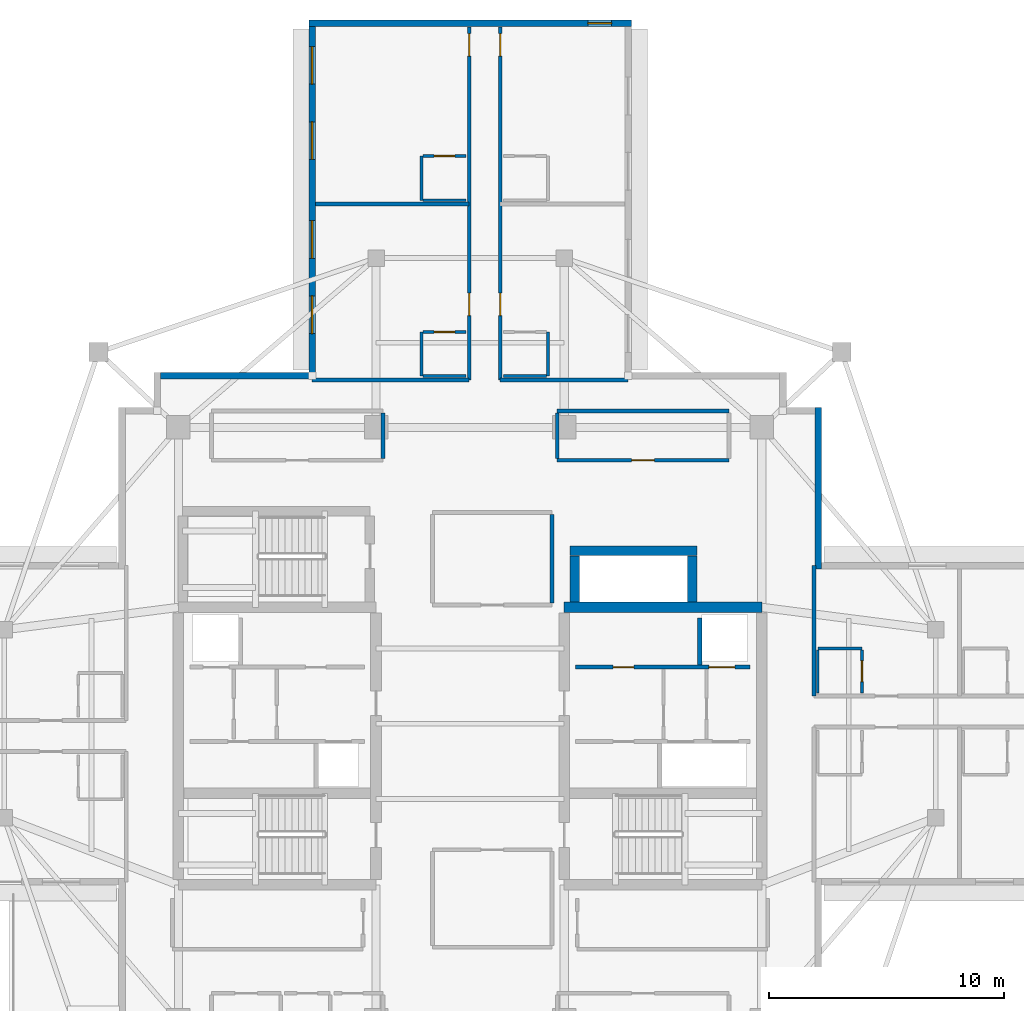
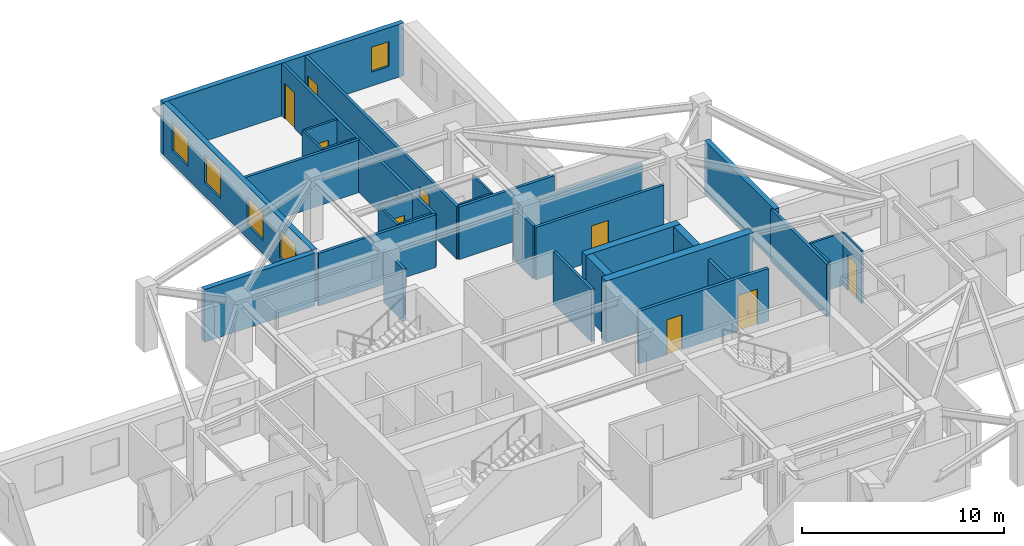
# One storey, part 7 of 12: 32 walls, 10 doors, 5 windows, 15 openings.
"""IFC4 building model written with IfcOpenShell, lengths in metres."""

from ifc_helpers import new_model, si_unit, direction, frame, frame_2d, origin, place, context, subcontext, project, spatial, rectangle, extrude, material, layer, layer_set, type_object, element, fill, save


model = new_model("IFC4")

# Units and contexts
model_context = context("Model", 3, precision=1e-05, world=origin(), true_north=direction((0.0, 1.0)))
body_context = subcontext(model_context, "Body", "Model", "MODEL_VIEW")
ifc_project = project(units=[si_unit("LENGTHUNIT", "METRE"), si_unit("AREAUNIT", "SQUARE_METRE"), si_unit("VOLUMEUNIT", "CUBIC_METRE"), si_unit("PLANEANGLEUNIT", "RADIAN"), si_unit("MASSUNIT", "GRAM", prefix="KILO")], contexts=[model_context])

# Site, building, storey
site_placement = place(None, origin())
site = spatial("IfcSite", under=ifc_project, at=site_placement, CompositionType="ELEMENT")
building_placement = place(site_placement, origin())
building = spatial("IfcBuilding", under=site, at=building_placement, Name="Qingluan Cross Belvedere", CompositionType="ELEMENT")
storey_placement = place(building_placement, frame((0.0, 0.0, 265.5)))
storey = spatial("IfcBuildingStorey", under=building, at=storey_placement, Name="L66", CompositionType="ELEMENT", Elevation=265.5)

# Walls
ifc_material_1 = material(Name="Concrete C50", Category="concrete")
ifc_layer_1 = layer(ifc_material_1, 0.449951171875, Name="CoreShearWall_450")
ifc_layer_set_1 = layer_set([ifc_layer_1], Name="Concrete C50")
wall_type_1 = type_object("IfcWallType", Name="CoreShearWall_450", PredefinedType="SHEAR", material=ifc_layer_set_1)
wall_1_placement = place(storey_placement, frame((4.0, 4.949951171875, 0.0), z_axis=(0.0, 0.0, 1.0), x_axis=(1.0, 0.0, 0.0)))
element("IfcWall", 1, at=wall_1_placement, inside=storey, type_object=wall_type_1, Name="Split core E shear wall L66-N", PredefinedType="SHEAR", context=body_context, shape_type="SweptSolid", body=[
    extrude(rectangle(XDim=8.39990234375, YDim=0.449951171875, at=frame_2d((4.199951171875, 0.0))), origin(), (0.0, 0.0, 1.0), 3.699951171875),
])
wall_2_placement = place(storey_placement, frame((4.449951171875, 5.179931640625, 0.0), z_axis=(0.0, 0.0, 1.0), x_axis=(0.0, 1.0, 0.0)))
element("IfcWall", 2, at=wall_2_placement, inside=storey, type_object=wall_type_1, Name="Express shuttle core wall L66-W", PredefinedType="SHEAR", context=body_context, shape_type="SweptSolid", body=[
    extrude(rectangle(XDim=1.9599609375, YDim=0.39990234375, at=frame_2d((0.97998046875, 0.0))), origin(), (0.0, 0.0, 1.0), 3.699951171875),
])
wall_3_placement = place(storey_placement, frame((4.25, 7.35009765625, 0.0), z_axis=(0.0, 0.0, 1.0), x_axis=(1.0, 0.0, 0.0)))
element("IfcWall", 3, at=wall_3_placement, inside=storey, type_object=wall_type_1, Name="Express shuttle core wall L66-N", PredefinedType="SHEAR", context=body_context, shape_type="SweptSolid", body=[
    extrude(rectangle(XDim=5.39990234375, YDim=0.39990234375, at=frame_2d((2.699951171875, 0.0))), origin(), (0.0, 0.0, 1.0), 3.699951171875),
])
wall_4_placement = place(storey_placement, frame((9.449951171875, 5.179931640625, 0.0), z_axis=(0.0, 0.0, 1.0), x_axis=(0.0, 1.0, 0.0)))
element("IfcWall", 4, at=wall_4_placement, inside=storey, type_object=wall_type_1, Name="Express shuttle core wall L66-E", PredefinedType="SHEAR", context=body_context, shape_type="SweptSolid", body=[
    extrude(rectangle(XDim=1.9599609375, YDim=0.39990234375, at=frame_2d((0.97998046875, 0.0))), origin(), (0.0, 0.0, 1.0), 3.699951171875),
])
ifc_material_2 = material(Name="Gypsum plasterboard on steel stud acoustic partition", Category="steel")
ifc_layer_2 = layer(ifc_material_2, 0.159912109375, Name="CorridorPartition_160")
ifc_layer_set_2 = layer_set([ifc_layer_2], Name="Gypsum plasterboard on steel stud acoustic partition")
wall_type_2 = type_object("IfcWallType", Name="CorridorPartition_160", PredefinedType="PARTITIONING", material=ifc_layer_set_2)
wall_5_placement = place(storey_placement, frame((-3.699951171875, 11.284912109375, 0.0), z_axis=(0.0, 0.0, 1.0), x_axis=(0.0, 1.0, 0.0)))
element("IfcWall", 5, at=wall_5_placement, inside=storey, type_object=wall_type_2, Name="Partition L66:q_nw_occ:E", PredefinedType="PARTITIONING", context=body_context, shape_type="SweptSolid", body=[
    extrude(rectangle(XDim=1.93017578125, YDim=0.159912109375, at=frame_2d((0.965087890625, 0.0))), origin(), (0.0, 0.0, 1.0), 3.169921875),
])

# Wall, opening, door
wall_6_placement = place(storey_placement, frame((3.699951171875, 11.199951171875, 0.0), z_axis=(0.0, 0.0, 1.0), x_axis=(1.0, 0.0, 0.0)))
wall_6 = element("IfcWall", 6, at=wall_6_placement, inside=storey, type_object=wall_type_2, Name="Partition L66:q_ne:S", PredefinedType="PARTITIONING", context=body_context, shape_type="SweptSolid", body=[
    extrude(rectangle(XDim=7.300048828125, YDim=0.159912109375, at=frame_2d((3.64990234375, 0.0))), origin(), (0.0, 0.0, 1.0), 3.169921875),
])
opening_1_placement = place(wall_6_placement, frame((3.169921875, 0.0, 0.0)))
opening_1 = element("IfcOpeningElement", 7, at=opening_1_placement, cuts=wall_6, Name="Opening GD-10", PredefinedType="OPENING", context=body_context, shape_type="SweptSolid", body=[
    extrude(rectangle(XDim=0.9599609375, YDim=2.14990234375, at=frame_2d((0.47998046875, 1.074951171875))), frame((0.0, 0.08984375, 0.0), z_axis=(0.0, -1.0, 0.0), x_axis=(1.0, 0.0, 0.0)), (0.0, 0.0, 1.0), 0.179931640625),
])
ifc_material_3 = material(Name="Timber oak fire-rated acoustic guestroom door", Category="wood")
door_type_1 = type_object("IfcDoorType", Name="GuestEntryDoor_FD60", OperationType="NOTDEFINED", PredefinedType="DOOR", material=ifc_material_3)
door_1_placement = place(opening_1_placement, origin())
door_1 = element("IfcDoor", 8, at=door_1_placement, inside=storey, type_object=door_type_1, Name="Sky tea ceremony salon L66 door", OperationType="SINGLE_SWING_LEFT", OverallHeight=2.14990234375, OverallWidth=0.9599609375, PredefinedType="DOOR", context=body_context, shape_type="SweptSolid", body=[
    extrude(rectangle(XDim=0.9599609375, YDim=2.14990234375, at=frame_2d((0.47998046875, 1.074951171875))), frame((0.0, 0.02490234375, 0.0), z_axis=(0.0, -1.0, 0.0), x_axis=(1.0, 0.0, 0.0)), (0.0, 0.0, 1.0), 0.050048828125),
])
fill(opening_1, door_1)

# Walls
wall_7_placement = place(storey_placement, frame((3.699951171875, 13.300048828125, 0.0), z_axis=(0.0, 0.0, 1.0), x_axis=(1.0, 0.0, 0.0)))
element("IfcWall", 9, at=wall_7_placement, inside=storey, type_object=wall_type_2, Name="Partition L66:q_ne:N", PredefinedType="PARTITIONING", context=body_context, shape_type="SweptSolid", body=[
    extrude(rectangle(XDim=7.300048828125, YDim=0.159912109375, at=frame_2d((3.64990234375, 0.0))), origin(), (0.0, 0.0, 1.0), 3.169921875),
])
wall_8_placement = place(storey_placement, frame((3.699951171875, 11.284912109375, 0.0), z_axis=(0.0, 0.0, 1.0), x_axis=(0.0, 1.0, 0.0)))
element("IfcWall", 10, at=wall_8_placement, inside=storey, type_object=wall_type_2, Name="Partition L66:q_ne:W", PredefinedType="PARTITIONING", context=body_context, shape_type="SweptSolid", body=[
    extrude(rectangle(XDim=1.93017578125, YDim=0.159912109375, at=frame_2d((0.965087890625, 0.0))), origin(), (0.0, 0.0, 1.0), 3.169921875),
])
wall_9_placement = place(storey_placement, frame((3.47998046875, 5.135009765625, 0.0), z_axis=(0.0, 0.0, 1.0), x_axis=(0.0, 1.0, 0.0)))
element("IfcWall", 11, at=wall_9_placement, inside=storey, type_object=wall_type_2, Name="Partition L66:sky_tea_alcove:E", PredefinedType="PARTITIONING", context=body_context, shape_type="SweptSolid", body=[
    extrude(rectangle(XDim=3.760009765625, YDim=0.159912109375, at=frame_2d((1.8798828125, 0.0))), origin(), (0.0, 0.0, 1.0), 3.169921875),
])
wall_10_placement = place(storey_placement, frame((14.6201171875, 1.179931640625, 0.0), z_axis=(0.0, 0.0, 1.0), x_axis=(0.0, 1.0, 0.0)))
element("IfcWall", 12, at=wall_10_placement, inside=storey, type_object=wall_type_2, Name="Partition L66:E:s0", PredefinedType="PARTITIONING", context=body_context, shape_type="SweptSolid", body=[
    extrude(rectangle(XDim=5.5400390625, YDim=0.159912109375, at=frame_2d((2.77001953125, 0.0))), origin(), (0.0, 0.0, 1.0), 3.169921875),
])

# Wall, openings, doors
wall_11_placement = place(storey_placement, frame((1.280029296875, 14.6201171875, 0.0), z_axis=(0.0, 0.0, 1.0), x_axis=(0.0, 1.0, 0.0)))
wall_11 = element("IfcWall", 13, at=wall_11_placement, inside=storey, type_object=wall_type_2, Name="Partition L66:N:c0", PredefinedType="PARTITIONING", context=body_context, shape_type="SweptSolid", body=[
    extrude(rectangle(XDim=15.011962890625, YDim=0.159912109375, at=frame_2d((7.505859375, 0.0))), origin(), (0.0, 0.0, 1.0), 3.169921875),
])
opening_2_placement = place(wall_11_placement, frame((2.72802734375, 0.0, 0.0)))
opening_2 = element("IfcOpeningElement", 14, at=opening_2_placement, cuts=wall_11, Name="Opening GD-10", PredefinedType="OPENING", context=body_context, shape_type="SweptSolid", body=[
    extrude(rectangle(XDim=0.9599609375, YDim=2.14990234375, at=frame_2d((0.47998046875, 1.074951171875))), frame((0.0, 0.08984375, 0.0), z_axis=(0.0, -1.0, 0.0), x_axis=(1.0, 0.0, 0.0)), (0.0, 0.0, 1.0), 0.179931640625),
])
opening_3_placement = place(wall_11_placement, frame((13.760009765625, 0.0, 0.0)))
opening_3 = element("IfcOpeningElement", 15, at=opening_3_placement, cuts=wall_11, Name="Opening GD-10", PredefinedType="OPENING", context=body_context, shape_type="SweptSolid", body=[
    extrude(rectangle(XDim=0.9599609375, YDim=2.14990234375, at=frame_2d((0.47998046875, 1.074951171875))), frame((0.0, 0.08984375, 0.0), z_axis=(0.0, -1.0, 0.0), x_axis=(1.0, 0.0, 0.0)), (0.0, 0.0, 1.0), 0.179931640625),
])
door_2_placement = place(opening_2_placement, origin())
door_2 = element("IfcDoor", 16, at=door_2_placement, inside=storey, type_object=door_type_1, Name="Guest entry fire door 6609", OperationType="SINGLE_SWING_RIGHT", OverallHeight=2.14990234375, OverallWidth=0.9599609375, PredefinedType="DOOR", context=body_context, shape_type="SweptSolid", body=[
    extrude(rectangle(XDim=0.9599609375, YDim=2.14990234375, at=frame_2d((0.47998046875, 1.074951171875))), frame((0.0, 0.02490234375, 0.0), z_axis=(0.0, -1.0, 0.0), x_axis=(1.0, 0.0, 0.0)), (0.0, 0.0, 1.0), 0.050048828125),
])
fill(opening_2, door_2)
door_3_placement = place(opening_3_placement, origin())
door_3 = element("IfcDoor", 17, at=door_3_placement, inside=storey, type_object=door_type_1, Name="Guest entry fire door 6610", OperationType="SINGLE_SWING_RIGHT", OverallHeight=2.14990234375, OverallWidth=0.9599609375, PredefinedType="DOOR", context=body_context, shape_type="SweptSolid", body=[
    extrude(rectangle(XDim=0.9599609375, YDim=2.14990234375, at=frame_2d((0.47998046875, 1.074951171875))), frame((0.0, 0.02490234375, 0.0), z_axis=(0.0, -1.0, 0.0), x_axis=(1.0, 0.0, 0.0)), (0.0, 0.0, 1.0), 0.050048828125),
])
fill(opening_3, door_3)

# Wall
wall_12_placement = place(storey_placement, frame((1.280029296875, 14.6201171875, 0.0), z_axis=(0.0, 0.0, 1.0), x_axis=(1.0, 0.0, 0.0)))
element("IfcWall", 18, at=wall_12_placement, inside=storey, type_object=wall_type_2, Name="Partition L66:N:s0", PredefinedType="PARTITIONING", context=body_context, shape_type="SweptSolid", body=[
    extrude(rectangle(XDim=5.43994140625, YDim=0.159912109375, at=frame_2d((2.719970703125, 0.0))), origin(), (0.0, 0.0, 1.0), 3.169921875),
])

# Wall, openings, doors
wall_13_placement = place(storey_placement, frame((-0.0400390625, 14.6201171875, 0.0), z_axis=(0.0, 0.0, 1.0), x_axis=(0.0, 1.0, 0.0)))
wall_13 = element("IfcWall", 19, at=wall_13_placement, inside=storey, type_object=wall_type_2, Name="Partition L66:N:c1", PredefinedType="PARTITIONING", context=body_context, shape_type="SweptSolid", body=[
    extrude(rectangle(XDim=15.011962890625, YDim=0.159912109375, at=frame_2d((7.505859375, 0.0))), origin(), (0.0, 0.0, 1.0), 3.169921875),
])
opening_4_placement = place(wall_13_placement, frame((2.72802734375, 0.0, 0.0)))
opening_4 = element("IfcOpeningElement", 20, at=opening_4_placement, cuts=wall_13, Name="Opening GD-10", PredefinedType="OPENING", context=body_context, shape_type="SweptSolid", body=[
    extrude(rectangle(XDim=0.9599609375, YDim=2.14990234375, at=frame_2d((0.47998046875, 1.074951171875))), frame((0.0, 0.08984375, 0.0), z_axis=(0.0, -1.0, 0.0), x_axis=(1.0, 0.0, 0.0)), (0.0, 0.0, 1.0), 0.179931640625),
])
opening_5_placement = place(wall_13_placement, frame((13.760009765625, 0.0, 0.0)))
opening_5 = element("IfcOpeningElement", 21, at=opening_5_placement, cuts=wall_13, Name="Opening GD-10", PredefinedType="OPENING", context=body_context, shape_type="SweptSolid", body=[
    extrude(rectangle(XDim=0.9599609375, YDim=2.14990234375, at=frame_2d((0.47998046875, 1.074951171875))), frame((0.0, 0.08984375, 0.0), z_axis=(0.0, -1.0, 0.0), x_axis=(1.0, 0.0, 0.0)), (0.0, 0.0, 1.0), 0.179931640625),
])
door_4_placement = place(opening_4_placement, origin())
door_4 = element("IfcDoor", 22, at=door_4_placement, inside=storey, type_object=door_type_1, Name="Guest entry fire door 6611", OperationType="SINGLE_SWING_RIGHT", OverallHeight=2.14990234375, OverallWidth=0.9599609375, PredefinedType="DOOR", context=body_context, shape_type="SweptSolid", body=[
    extrude(rectangle(XDim=0.9599609375, YDim=2.14990234375, at=frame_2d((0.47998046875, 1.074951171875))), frame((0.0, 0.02490234375, 0.0), z_axis=(0.0, -1.0, 0.0), x_axis=(1.0, 0.0, 0.0)), (0.0, 0.0, 1.0), 0.050048828125),
])
fill(opening_4, door_4)
door_5_placement = place(opening_5_placement, origin())
door_5 = element("IfcDoor", 23, at=door_5_placement, inside=storey, type_object=door_type_1, Name="Guest entry fire door 6612", OperationType="SINGLE_SWING_RIGHT", OverallHeight=2.14990234375, OverallWidth=0.9599609375, PredefinedType="DOOR", context=body_context, shape_type="SweptSolid", body=[
    extrude(rectangle(XDim=0.9599609375, YDim=2.14990234375, at=frame_2d((0.47998046875, 1.074951171875))), frame((0.0, 0.02490234375, 0.0), z_axis=(0.0, -1.0, 0.0), x_axis=(1.0, 0.0, 0.0)), (0.0, 0.0, 1.0), 0.050048828125),
])
fill(opening_5, door_5)

# Walls
wall_14_placement = place(storey_placement, frame((-0.0400390625, 14.6201171875, 0.0), z_axis=(0.0, 0.0, 1.0), x_axis=(-1.0, 0.0, 0.0)))
element("IfcWall", 24, at=wall_14_placement, inside=storey, type_object=wall_type_2, Name="Partition L66:N:s1", PredefinedType="PARTITIONING", context=body_context, shape_type="SweptSolid", body=[
    extrude(rectangle(XDim=6.679931640625, YDim=0.159912109375, at=frame_2d((3.33984375, 0.0))), origin(), (0.0, 0.0, 1.0), 3.169921875),
])
wall_15_placement = place(storey_placement, frame((-0.0400390625, 22.096923828125, 0.0), z_axis=(0.0, 0.0, 1.0), x_axis=(-1.0, 0.0, 0.0)))
element("IfcWall", 25, at=wall_15_placement, inside=storey, type_object=wall_type_2, Name="Partition L66:N:d1_0", PredefinedType="PARTITIONING", context=body_context, shape_type="SweptSolid", body=[
    extrude(rectangle(XDim=6.531982421875, YDim=0.159912109375, at=frame_2d((3.26611328125, 0.0))), origin(), (0.0, 0.0, 1.0), 3.169921875),
])

# Wall, opening, door
ifc_material_4 = material(Name="Moisture-resistant gypsum board lining")
ifc_layer_3 = layer(ifc_material_4, 0.1201171875, Name="EnsuiteWetPartition_120")
ifc_layer_set_3 = layer_set([ifc_layer_3], Name="Moisture-resistant gypsum board lining")
wall_type_3 = type_object("IfcWallType", Name="EnsuiteWetPartition_120", PredefinedType="PARTITIONING", material=ifc_layer_set_3)
wall_16_placement = place(storey_placement, frame((16.659912109375, 1.320068359375, 0.0), z_axis=(0.0, 0.0, 1.0), x_axis=(0.0, 1.0, 0.0)))
wall_16 = element("IfcWall", 26, at=wall_16_placement, inside=storey, type_object=wall_type_3, Name="Partition L66:E:bs0_0", PredefinedType="PARTITIONING", context=body_context, shape_type="SweptSolid", body=[
    extrude(rectangle(XDim=1.81982421875, YDim=0.1201171875, at=frame_2d((0.909912109375, 0.0))), origin(), (0.0, 0.0, 1.0), 3.169921875),
])
opening_6_placement = place(wall_16_placement, frame((0.469970703125, 0.0, 0.0)))
opening_6 = element("IfcOpeningElement", 27, at=opening_6_placement, cuts=wall_16, Name="Opening BD-09", PredefinedType="OPENING", context=body_context, shape_type="SweptSolid", body=[
    extrude(rectangle(XDim=0.8798828125, YDim=2.10009765625, at=frame_2d((0.43994140625, 1.050048828125))), frame((0.0, 0.070068359375, 0.0), z_axis=(0.0, -1.0, 0.0), x_axis=(1.0, 0.0, 0.0)), (0.0, 0.0, 1.0), 0.14013671875),
])
ifc_material_5 = material(Name="Moisture-sealed timber en-suite door", Category="wood")
door_type_2 = type_object("IfcDoorType", Name="BathroomDoor_880", OperationType="NOTDEFINED", PredefinedType="DOOR", material=ifc_material_5)
door_6_placement = place(opening_6_placement, origin())
door_6 = element("IfcDoor", 28, at=door_6_placement, inside=storey, type_object=door_type_2, Name="Bathroom door 6601", OperationType="SINGLE_SWING_LEFT", OverallHeight=2.10009765625, OverallWidth=0.8798828125, PredefinedType="DOOR", context=body_context, shape_type="SweptSolid", body=[
    extrude(rectangle(XDim=0.8798828125, YDim=2.10009765625, at=frame_2d((0.43994140625, 1.050048828125))), frame((0.0, 0.02490234375, 0.0), z_axis=(0.0, -1.0, 0.0), x_axis=(1.0, 0.0, 0.0)), (0.0, 0.0, 1.0), 0.050048828125),
])
fill(opening_6, door_6)

# Walls
wall_17_placement = place(storey_placement, frame((14.780029296875, 1.320068359375, 0.0), z_axis=(0.0, 0.0, 1.0), x_axis=(0.0, 1.0, 0.0)))
element("IfcWall", 29, at=wall_17_placement, inside=storey, type_object=wall_type_3, Name="Partition L66:E:bw0_0", PredefinedType="PARTITIONING", context=body_context, shape_type="SweptSolid", body=[
    extrude(rectangle(XDim=1.81982421875, YDim=0.1201171875, at=frame_2d((0.909912109375, 0.0))), origin(), (0.0, 0.0, 1.0), 3.169921875),
])
wall_18_placement = place(storey_placement, frame((14.780029296875, 3.205078125, 0.0), z_axis=(0.0, 0.0, 1.0), x_axis=(1.0, 0.0, 0.0)))
element("IfcWall", 30, at=wall_18_placement, inside=storey, type_object=wall_type_3, Name="Partition L66:E:bn0_0", PredefinedType="PARTITIONING", context=body_context, shape_type="SweptSolid", body=[
    extrude(rectangle(XDim=1.8798828125, YDim=0.1201171875, at=frame_2d((0.93994140625, 0.0))), origin(), (0.0, 0.0, 1.0), 3.169921875),
])
wall_19_placement = place(storey_placement, frame((1.419921875, 14.780029296875, 0.0), z_axis=(0.0, 0.0, 1.0), x_axis=(1.0, 0.0, 0.0)))
element("IfcWall", 31, at=wall_19_placement, inside=storey, type_object=wall_type_3, Name="Partition L66:N:bw0_0", PredefinedType="PARTITIONING", context=body_context, shape_type="SweptSolid", body=[
    extrude(rectangle(XDim=1.820068359375, YDim=0.1201171875, at=frame_2d((0.91015625, 0.0))), origin(), (0.0, 0.0, 1.0), 3.169921875),
])
wall_20_placement = place(storey_placement, frame((3.304931640625, 14.780029296875, 0.0), z_axis=(0.0, 0.0, 1.0), x_axis=(0.0, 1.0, 0.0)))
element("IfcWall", 32, at=wall_20_placement, inside=storey, type_object=wall_type_3, Name="Partition L66:N:bn0_0", PredefinedType="PARTITIONING", context=body_context, shape_type="SweptSolid", body=[
    extrude(rectangle(XDim=1.8798828125, YDim=0.1201171875, at=frame_2d((0.93994140625, 0.0))), origin(), (0.0, 0.0, 1.0), 3.169921875),
])

# Wall, opening, door
wall_21_placement = place(storey_placement, frame((-2.0, 16.659912109375, 0.0), z_axis=(0.0, 0.0, 1.0), x_axis=(1.0, 0.0, 0.0)))
wall_21 = element("IfcWall", 33, at=wall_21_placement, inside=storey, type_object=wall_type_3, Name="Partition L66:N:bs1_0", PredefinedType="PARTITIONING", context=body_context, shape_type="SweptSolid", body=[
    extrude(rectangle(XDim=1.820068359375, YDim=0.1201171875, at=frame_2d((0.91015625, 0.0))), origin(), (0.0, 0.0, 1.0), 3.169921875),
])
opening_7_placement = place(wall_21_placement, frame((0.469970703125, 0.0, 0.0)))
opening_7 = element("IfcOpeningElement", 34, at=opening_7_placement, cuts=wall_21, Name="Opening BD-09", PredefinedType="OPENING", context=body_context, shape_type="SweptSolid", body=[
    extrude(rectangle(XDim=0.8798828125, YDim=2.10009765625, at=frame_2d((0.43994140625, 1.050048828125))), frame((0.0, 0.070068359375, 0.0), z_axis=(0.0, -1.0, 0.0), x_axis=(1.0, 0.0, 0.0)), (0.0, 0.0, 1.0), 0.14013671875),
])
door_7_placement = place(opening_7_placement, origin())
door_7 = element("IfcDoor", 35, at=door_7_placement, inside=storey, type_object=door_type_2, Name="Bathroom door 6611", OperationType="SINGLE_SWING_LEFT", OverallHeight=2.10009765625, OverallWidth=0.8798828125, PredefinedType="DOOR", context=body_context, shape_type="SweptSolid", body=[
    extrude(rectangle(XDim=0.8798828125, YDim=2.10009765625, at=frame_2d((0.43994140625, 1.050048828125))), frame((0.0, 0.02490234375, 0.0), z_axis=(0.0, -1.0, 0.0), x_axis=(1.0, 0.0, 0.0)), (0.0, 0.0, 1.0), 0.050048828125),
])
fill(opening_7, door_7)

# Walls
wall_22_placement = place(storey_placement, frame((-2.0, 14.780029296875, 0.0), z_axis=(0.0, 0.0, 1.0), x_axis=(1.0, 0.0, 0.0)))
element("IfcWall", 36, at=wall_22_placement, inside=storey, type_object=wall_type_3, Name="Partition L66:N:bw1_0", PredefinedType="PARTITIONING", context=body_context, shape_type="SweptSolid", body=[
    extrude(rectangle(XDim=1.820068359375, YDim=0.1201171875, at=frame_2d((0.91015625, 0.0))), origin(), (0.0, 0.0, 1.0), 3.169921875),
])
wall_23_placement = place(storey_placement, frame((-2.06494140625, 14.780029296875, 0.0), z_axis=(0.0, 0.0, 1.0), x_axis=(0.0, 1.0, 0.0)))
element("IfcWall", 37, at=wall_23_placement, inside=storey, type_object=wall_type_3, Name="Partition L66:N:bc1_0", PredefinedType="PARTITIONING", context=body_context, shape_type="SweptSolid", body=[
    extrude(rectangle(XDim=1.8798828125, YDim=0.1201171875, at=frame_2d((0.93994140625, 0.0))), origin(), (0.0, 0.0, 1.0), 3.169921875),
])

# Wall, opening, door
wall_24_placement = place(storey_placement, frame((-2.0, 24.136962890625, 0.0), z_axis=(0.0, 0.0, 1.0), x_axis=(1.0, 0.0, 0.0)))
wall_24 = element("IfcWall", 38, at=wall_24_placement, inside=storey, type_object=wall_type_3, Name="Partition L66:N:bs1_1", PredefinedType="PARTITIONING", context=body_context, shape_type="SweptSolid", body=[
    extrude(rectangle(XDim=1.820068359375, YDim=0.1201171875, at=frame_2d((0.91015625, 0.0))), origin(), (0.0, 0.0, 1.0), 3.169921875),
])
opening_8_placement = place(wall_24_placement, frame((0.469970703125, 0.0, 0.0)))
opening_8 = element("IfcOpeningElement", 39, at=opening_8_placement, cuts=wall_24, Name="Opening BD-09", PredefinedType="OPENING", context=body_context, shape_type="SweptSolid", body=[
    extrude(rectangle(XDim=0.8798828125, YDim=2.10009765625, at=frame_2d((0.43994140625, 1.050048828125))), frame((0.0, 0.070068359375, 0.0), z_axis=(0.0, -1.0, 0.0), x_axis=(1.0, 0.0, 0.0)), (0.0, 0.0, 1.0), 0.14013671875),
])
door_8_placement = place(opening_8_placement, origin())
door_8 = element("IfcDoor", 40, at=door_8_placement, inside=storey, type_object=door_type_2, Name="Bathroom door 6612", OperationType="SINGLE_SWING_LEFT", OverallHeight=2.10009765625, OverallWidth=0.8798828125, PredefinedType="DOOR", context=body_context, shape_type="SweptSolid", body=[
    extrude(rectangle(XDim=0.8798828125, YDim=2.10009765625, at=frame_2d((0.43994140625, 1.050048828125))), frame((0.0, 0.02490234375, 0.0), z_axis=(0.0, -1.0, 0.0), x_axis=(1.0, 0.0, 0.0)), (0.0, 0.0, 1.0), 0.050048828125),
])
fill(opening_8, door_8)

# Walls
wall_25_placement = place(storey_placement, frame((-2.0, 22.257080078125, 0.0), z_axis=(0.0, 0.0, 1.0), x_axis=(1.0, 0.0, 0.0)))
element("IfcWall", 41, at=wall_25_placement, inside=storey, type_object=wall_type_3, Name="Partition L66:N:bw1_1", PredefinedType="PARTITIONING", context=body_context, shape_type="SweptSolid", body=[
    extrude(rectangle(XDim=1.820068359375, YDim=0.1201171875, at=frame_2d((0.91015625, 0.0))), origin(), (0.0, 0.0, 1.0), 3.169921875),
])
wall_26_placement = place(storey_placement, frame((-2.06494140625, 22.257080078125, 0.0), z_axis=(0.0, 0.0, 1.0), x_axis=(0.0, 1.0, 0.0)))
element("IfcWall", 42, at=wall_26_placement, inside=storey, type_object=wall_type_3, Name="Partition L66:N:bc1_1", PredefinedType="PARTITIONING", context=body_context, shape_type="SweptSolid", body=[
    extrude(rectangle(XDim=1.8798828125, YDim=0.1201171875, at=frame_2d((0.93994140625, 0.0))), origin(), (0.0, 0.0, 1.0), 3.169921875),
])

# Wall, openings, windows
ifc_material_6 = material(Name="Precast concrete C45", Category="concrete")
ifc_layer_4 = layer(ifc_material_6, 0.280029296875, Name="PrecastFacadeWall_280")
ifc_layer_set_4 = layer_set([ifc_layer_4], Name="Precast concrete C45")
wall_type_4 = type_object("IfcWallType", Name="PrecastFacadeWall_280", PredefinedType="STANDARD", material=ifc_layer_set_4)
wall_27_placement = place(storey_placement, frame((-6.719970703125, 29.639892578125, 0.0), z_axis=(0.0, 0.0, 1.0), x_axis=(0.0, -1.0, 0.0)))
wall_27 = element("IfcWall", 43, at=wall_27_placement, inside=storey, type_object=wall_type_4, Name="Facade wall L66-NB", PredefinedType="STANDARD", context=body_context, shape_type="SweptSolid", body=[
    extrude(rectangle(XDim=14.699951171875, YDim=0.280029296875, at=frame_2d((7.35009765625, 0.0))), origin(), (0.0, 0.0, 1.0), 3.179931640625),
])
opening_9_placement = place(wall_27_placement, frame((0.85009765625, 0.0, 0.800048828125)))
opening_9 = element("IfcOpeningElement", 44, at=opening_9_placement, cuts=wall_27, Name="Opening W-04", PredefinedType="OPENING", context=body_context, shape_type="SweptSolid", body=[
    extrude(rectangle(XDim=1.60009765625, YDim=1.699951171875, at=frame_2d((0.800048828125, 0.85009765625))), frame((0.0, 0.14990234375, 0.0), z_axis=(0.0, -1.0, 0.0), x_axis=(1.0, 0.0, 0.0)), (0.0, 0.0, 1.0), 0.300048828125),
])
opening_10_placement = place(wall_27_placement, frame((4.050048828125, 0.0, 0.800048828125)))
opening_10 = element("IfcOpeningElement", 45, at=opening_10_placement, cuts=wall_27, Name="Opening W-04", PredefinedType="OPENING", context=body_context, shape_type="SweptSolid", body=[
    extrude(rectangle(XDim=1.60009765625, YDim=1.699951171875, at=frame_2d((0.800048828125, 0.85009765625))), frame((0.0, 0.14990234375, 0.0), z_axis=(0.0, -1.0, 0.0), x_axis=(1.0, 0.0, 0.0)), (0.0, 0.0, 1.0), 0.300048828125),
])
opening_11_placement = place(wall_27_placement, frame((8.25, 0.0, 0.800048828125)))
opening_11 = element("IfcOpeningElement", 46, at=opening_11_placement, cuts=wall_27, Name="Opening W-04", PredefinedType="OPENING", context=body_context, shape_type="SweptSolid", body=[
    extrude(rectangle(XDim=1.60009765625, YDim=1.699951171875, at=frame_2d((0.800048828125, 0.85009765625))), frame((0.0, 0.14990234375, 0.0), z_axis=(0.0, -1.0, 0.0), x_axis=(1.0, 0.0, 0.0)), (0.0, 0.0, 1.0), 0.300048828125),
])
opening_12_placement = place(wall_27_placement, frame((11.449951171875, 0.0, 0.800048828125)))
opening_12 = element("IfcOpeningElement", 47, at=opening_12_placement, cuts=wall_27, Name="Opening W-04", PredefinedType="OPENING", context=body_context, shape_type="SweptSolid", body=[
    extrude(rectangle(XDim=1.60009765625, YDim=1.699951171875, at=frame_2d((0.800048828125, 0.85009765625))), frame((0.0, 0.14990234375, 0.0), z_axis=(0.0, -1.0, 0.0), x_axis=(1.0, 0.0, 0.0)), (0.0, 0.0, 1.0), 0.300048828125),
])
ifc_material_7 = material(Name="Thermally broken triple Low-E glass in aluminium frame", Category="aluminium")
window_type_1 = type_object("IfcWindowType", Name="SuiteCornerWin_1600x1700", PartitioningType="SINGLE_PANEL", PredefinedType="WINDOW", material=ifc_material_7)
window_1_placement = place(opening_9_placement, origin())
window_1 = element("IfcWindow", 48, at=window_1_placement, inside=storey, type_object=window_type_1, Name="Ribbon window L66-NB-1", OverallHeight=1.699951171875, OverallWidth=1.60009765625, PartitioningType="SINGLE_PANEL", PredefinedType="WINDOW", context=body_context, shape_type="SweptSolid", body=[
    extrude(rectangle(XDim=1.60009765625, YDim=1.699951171875, at=frame_2d((0.800048828125, 0.85009765625))), frame((0.0, 0.030029296875, 0.0), z_axis=(0.0, -1.0, 0.0), x_axis=(1.0, 0.0, 0.0)), (0.0, 0.0, 1.0), 0.06005859375),
])
fill(opening_9, window_1)
window_2_placement = place(opening_10_placement, origin())
window_2 = element("IfcWindow", 49, at=window_2_placement, inside=storey, type_object=window_type_1, Name="Ribbon window L66-NB-2", OverallHeight=1.699951171875, OverallWidth=1.60009765625, PartitioningType="SINGLE_PANEL", PredefinedType="WINDOW", context=body_context, shape_type="SweptSolid", body=[
    extrude(rectangle(XDim=1.60009765625, YDim=1.699951171875, at=frame_2d((0.800048828125, 0.85009765625))), frame((0.0, 0.030029296875, 0.0), z_axis=(0.0, -1.0, 0.0), x_axis=(1.0, 0.0, 0.0)), (0.0, 0.0, 1.0), 0.06005859375),
])
fill(opening_10, window_2)
window_3_placement = place(opening_11_placement, origin())
window_3 = element("IfcWindow", 50, at=window_3_placement, inside=storey, type_object=window_type_1, Name="Ribbon window L66-NB-3", OverallHeight=1.699951171875, OverallWidth=1.60009765625, PartitioningType="SINGLE_PANEL", PredefinedType="WINDOW", context=body_context, shape_type="SweptSolid", body=[
    extrude(rectangle(XDim=1.60009765625, YDim=1.699951171875, at=frame_2d((0.800048828125, 0.85009765625))), frame((0.0, 0.030029296875, 0.0), z_axis=(0.0, -1.0, 0.0), x_axis=(1.0, 0.0, 0.0)), (0.0, 0.0, 1.0), 0.06005859375),
])
fill(opening_11, window_3)
window_4_placement = place(opening_12_placement, origin())
window_4 = element("IfcWindow", 51, at=window_4_placement, inside=storey, type_object=window_type_1, Name="Ribbon window L66-NB-4", OverallHeight=1.699951171875, OverallWidth=1.60009765625, PartitioningType="SINGLE_PANEL", PredefinedType="WINDOW", context=body_context, shape_type="SweptSolid", body=[
    extrude(rectangle(XDim=1.60009765625, YDim=1.699951171875, at=frame_2d((0.800048828125, 0.85009765625))), frame((0.0, 0.030029296875, 0.0), z_axis=(0.0, -1.0, 0.0), x_axis=(1.0, 0.0, 0.0)), (0.0, 0.0, 1.0), 0.06005859375),
])
fill(opening_12, window_4)

# Wall, opening, window
wall_28_placement = place(storey_placement, frame((6.860107421875, 29.780029296875, 0.0), z_axis=(0.0, 0.0, 1.0), x_axis=(-1.0, 0.0, 0.0)))
wall_28 = element("IfcWall", 52, at=wall_28_placement, inside=storey, type_object=wall_type_4, Name="Arm tip precast facade wall L66-N", PredefinedType="STANDARD", context=body_context, shape_type="SweptSolid", body=[
    extrude(rectangle(XDim=13.72021484375, YDim=0.280029296875, at=frame_2d((6.860107421875, 0.0))), origin(), (0.0, 0.0, 1.0), 3.179931640625),
])
opening_13_placement = place(wall_28_placement, frame((0.85009765625, 0.0, 0.85009765625)))
opening_13 = element("IfcOpeningElement", 53, at=opening_13_placement, cuts=wall_28, Name="Opening W-03", PredefinedType="OPENING", context=body_context, shape_type="SweptSolid", body=[
    extrude(rectangle(XDim=1.0, YDim=1.5, at=frame_2d((0.5, 0.75))), frame((0.0, 0.14990234375, 0.0), z_axis=(0.0, -1.0, 0.0), x_axis=(1.0, 0.0, 0.0)), (0.0, 0.0, 1.0), 0.300048828125),
])
ifc_material_8 = material(Name="Thermally broken triple Low-E glass in aluminium frame", Category="aluminium")
window_type_2 = type_object("IfcWindowType", Name="TriApexWin_1000x1500", PartitioningType="SINGLE_PANEL", PredefinedType="WINDOW", material=ifc_material_8)
window_5_placement = place(opening_13_placement, origin())
window_5 = element("IfcWindow", 54, at=window_5_placement, inside=storey, type_object=window_type_2, Name="Arm tip triangular window L66-N", OverallHeight=1.5, OverallWidth=1.0, PartitioningType="SINGLE_PANEL", PredefinedType="WINDOW", context=body_context, shape_type="SweptSolid", body=[
    extrude(rectangle(XDim=1.0, YDim=1.5, at=frame_2d((0.5, 0.75))), frame((0.0, 0.030029296875, 0.0), z_axis=(0.0, -1.0, 0.0), x_axis=(1.0, 0.0, 0.0)), (0.0, 0.0, 1.0), 0.06005859375),
])
fill(opening_13, window_5)

# Walls
wall_29_placement = place(storey_placement, frame((14.800048828125, 6.580078125, 0.0), z_axis=(0.0, 0.0, 1.0), x_axis=(0.0, 1.0, 0.0)))
element("IfcWall", 55, at=wall_29_placement, inside=storey, type_object=wall_type_4, Name="Corner wall L66-NE1", PredefinedType="STANDARD", context=body_context, shape_type="SweptSolid", body=[
    extrude(rectangle(XDim=6.85986328125, YDim=0.280029296875, at=frame_2d((3.429931640625, 0.0))), origin(), (0.0, 0.0, 1.0), 3.179931640625),
])
wall_30_placement = place(storey_placement, frame((-13.159912109375, 14.800048828125, 0.0), z_axis=(0.0, 0.0, 1.0), x_axis=(1.0, 0.0, 0.0)))
element("IfcWall", 56, at=wall_30_placement, inside=storey, type_object=wall_type_4, Name="Corner wall L66-NW4", PredefinedType="STANDARD", context=body_context, shape_type="SweptSolid", body=[
    extrude(rectangle(XDim=6.2998046875, YDim=0.280029296875, at=frame_2d((3.14990234375, 0.0))), origin(), (0.0, 0.0, 1.0), 3.179931640625),
])

# Wall, openings, doors
ifc_material_9 = material(Name="Concrete C40", Category="concrete")
ifc_layer_5 = layer(ifc_material_9, 0.219970703125, Name="ShaftEnclosureWall_250")
ifc_layer_set_5 = layer_set([ifc_layer_5], Name="Concrete C40")
wall_type_5 = type_object("IfcWallType", Name="ShaftEnclosureWall_250", PredefinedType="SOLIDWALL", material=ifc_layer_set_5)
wall_31_placement = place(storey_placement, frame((4.47998046875, 2.409912109375, 0.0), z_axis=(0.0, 0.0, 1.0), x_axis=(1.0, 0.0, 0.0)))
wall_31 = element("IfcWall", 57, at=wall_31_placement, inside=storey, type_object=wall_type_5, Name="Core-E north hoistway wall L66", PredefinedType="SOLIDWALL", context=body_context, shape_type="SweptSolid", body=[
    extrude(rectangle(XDim=7.419921875, YDim=0.179931640625, at=frame_2d((3.7099609375, 0.0))), origin(), (0.0, 0.0, 1.0), 3.169921875),
])
opening_14_placement = place(wall_31_placement, frame((5.669921875, 0.0, 0.0)))
opening_14 = element("IfcOpeningElement", 58, at=opening_14_placement, cuts=wall_31, Name="Opening LD-11", PredefinedType="OPENING", context=body_context, shape_type="SweptSolid", body=[
    extrude(rectangle(XDim=1.10009765625, YDim=2.14990234375, at=frame_2d((0.550048828125, 1.074951171875))), frame((0.0, 0.099853515625, 0.0), z_axis=(0.0, -1.0, 0.0), x_axis=(1.0, 0.0, 0.0)), (0.0, 0.0, 1.0), 0.199951171875),
])
opening_15_placement = place(wall_31_placement, frame((1.60009765625, 0.0, 0.0)))
opening_15 = element("IfcOpeningElement", 59, at=opening_15_placement, cuts=wall_31, Name="Opening FD-B10", PredefinedType="OPENING", context=body_context, shape_type="SweptSolid", body=[
    extrude(rectangle(XDim=0.8798828125, YDim=2.10009765625, at=frame_2d((0.43994140625, 1.050048828125))), frame((0.0, 0.099853515625, 0.0), z_axis=(0.0, -1.0, 0.0), x_axis=(1.0, 0.0, 0.0)), (0.0, 0.0, 1.0), 0.199951171875),
])
ifc_material_10 = material(Name="Brushed stainless steel centre-opening lift landing door", Category="steel")
door_type_3 = type_object("IfcDoorType", Name="LiftLandingSlidingDoor_1100", OperationType="DOUBLE_DOOR_SLIDING", PredefinedType="DOOR", material=ifc_material_10)
door_9_placement = place(opening_14_placement, origin())
door_9 = element("IfcDoor", 60, at=door_9_placement, inside=storey, type_object=door_type_3, Name="Lift landing sliding door FL2 L66", OperationType="DOUBLE_DOOR_SLIDING", OverallHeight=2.14990234375, OverallWidth=1.10009765625, PredefinedType="DOOR", context=body_context, shape_type="SweptSolid", body=[
    extrude(rectangle(XDim=1.10009765625, YDim=2.14990234375, at=frame_2d((0.550048828125, 1.074951171875))), frame((0.0, 0.02490234375, 0.0), z_axis=(0.0, -1.0, 0.0), x_axis=(1.0, 0.0, 0.0)), (0.0, 0.0, 1.0), 0.050048828125),
])
fill(opening_14, door_9)
ifc_material_11 = material(Name="Steel Class B service fire door", Category="steel")
door_type_4 = type_object("IfcDoorType", Name="RiserServiceFireDoor_FDB", OperationType="NOTDEFINED", PredefinedType="DOOR", material=ifc_material_11)
door_10_placement = place(opening_15_placement, origin())
door_10 = element("IfcDoor", 61, at=door_10_placement, inside=storey, type_object=door_type_4, Name="Pantry room door E L66", OperationType="SINGLE_SWING_RIGHT", OverallHeight=2.10009765625, OverallWidth=0.8798828125, PredefinedType="DOOR", context=body_context, shape_type="SweptSolid", body=[
    extrude(rectangle(XDim=0.8798828125, YDim=2.10009765625, at=frame_2d((0.43994140625, 1.050048828125))), frame((0.0, 0.02490234375, 0.0), z_axis=(0.0, -1.0, 0.0), x_axis=(1.0, 0.0, 0.0)), (0.0, 0.0, 1.0), 0.050048828125),
])
fill(opening_15, door_10)

# Wall
wall_32_placement = place(storey_placement, frame((9.760009765625, 2.5, 0.0), z_axis=(0.0, 0.0, 1.0), x_axis=(0.0, 1.0, 0.0)))
element("IfcWall", 62, at=wall_32_placement, inside=storey, type_object=wall_type_5, Name="Hoistway enclosure divider FL2W L66", PredefinedType="SOLIDWALL", context=body_context, shape_type="SweptSolid", body=[
    extrude(rectangle(XDim=1.989990234375, YDim=0.179931640625, at=frame_2d((0.9951171875, 0.0))), origin(), (0.0, 0.0, 1.0), 3.169921875),
])

save(model, "model.ifc")
